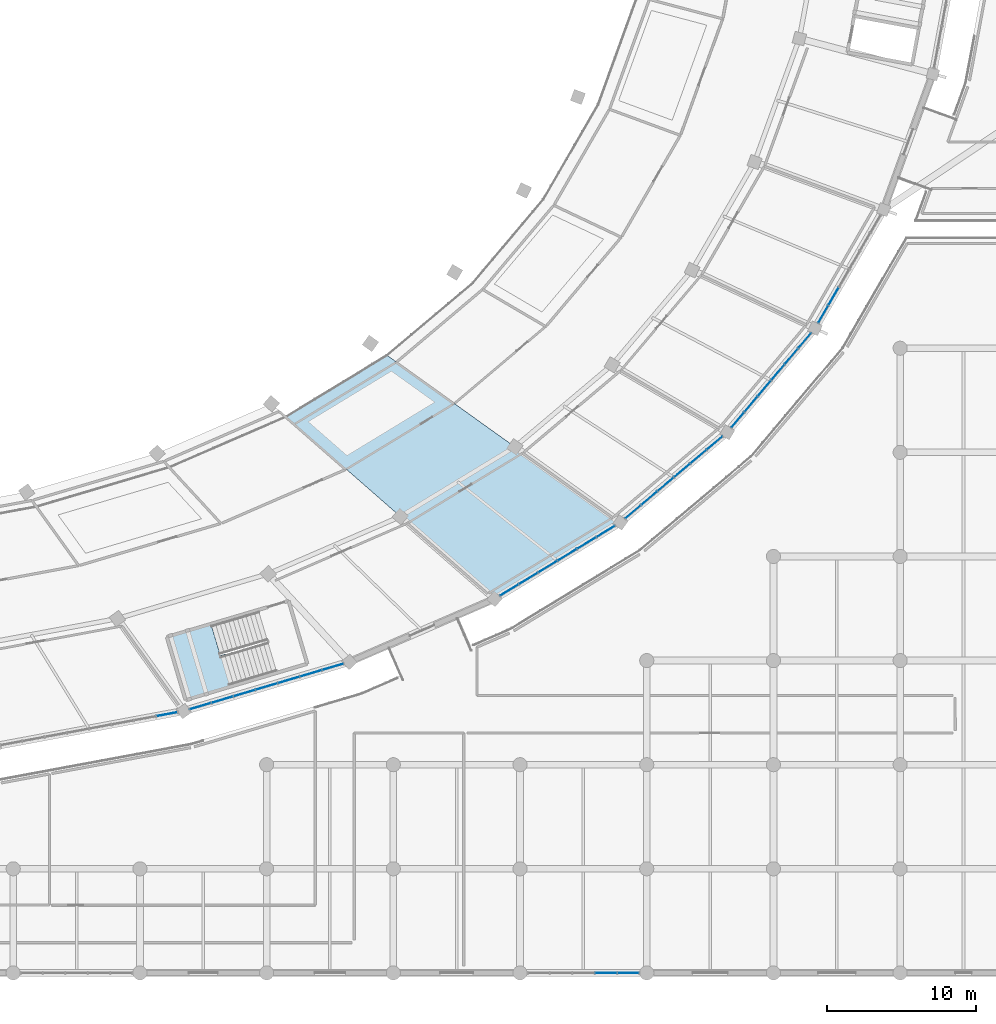
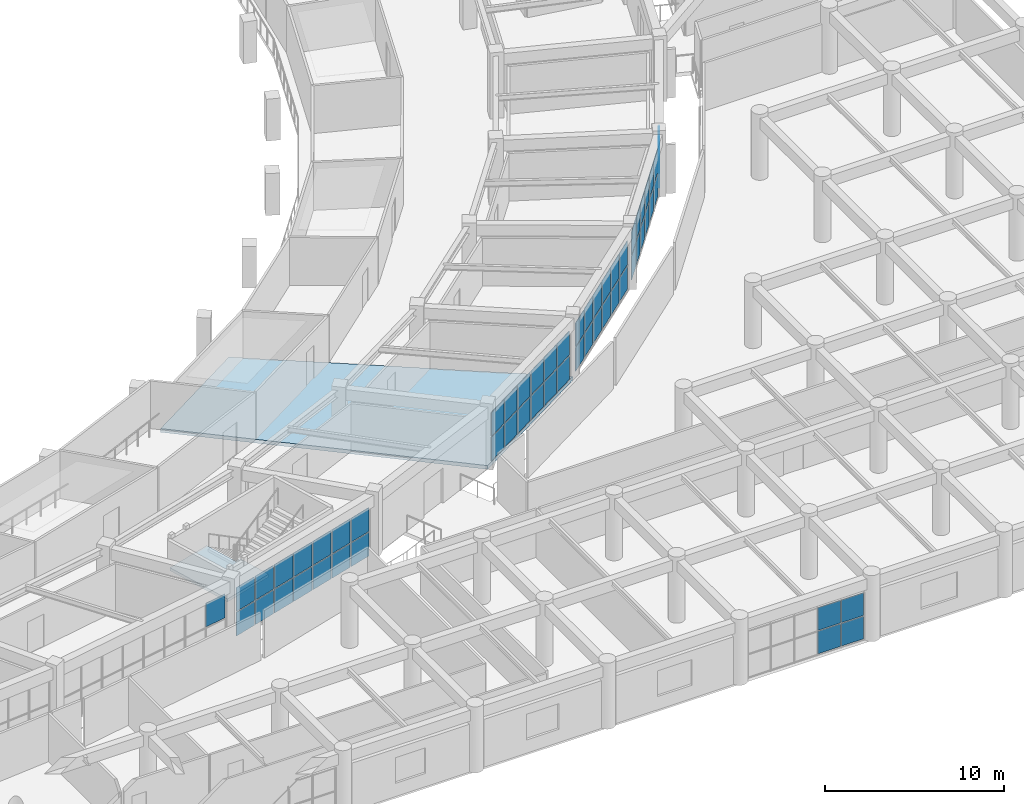
# One storey, part 79 of 141: 58 plates, 2 slabs, 8 elements without a shape of their own.
"""IFC4 building model written with IfcOpenShell, lengths in metres."""

from ifc_helpers import new_model, si_unit, direction, frame, origin, origin_2d, place, context, subcontext, project, spatial, polyline, rectangle, outline, extrude, material, layer, layer_set, type_object, element, aggregate, save


model = new_model("IFC4")

# Units and contexts
model_context = context("Model", 3, precision=1e-05, world=origin(), true_north=direction((0.0, 1.0)))
body_context = subcontext(model_context, "Body", "Model", "MODEL_VIEW")
ifc_project = project(units=[si_unit("LENGTHUNIT", "METRE"), si_unit("AREAUNIT", "SQUARE_METRE"), si_unit("VOLUMEUNIT", "CUBIC_METRE"), si_unit("PLANEANGLEUNIT", "RADIAN"), si_unit("MASSUNIT", "GRAM", prefix="KILO")], contexts=[model_context])

# Site, building, storey
site_placement = place(None, origin())
site = spatial("IfcSite", under=ifc_project, at=site_placement, CompositionType="ELEMENT")
building_placement = place(site_placement, origin())
building = spatial("IfcBuilding", under=site, at=building_placement, Name="Mphavela Belvedere Stadium", CompositionType="ELEMENT")
storey_placement = place(building_placement, frame((0.0, 0.0, 14.699951171875)))
storey = spatial("IfcBuildingStorey", under=building, at=storey_placement, Name="L03", CompositionType="ELEMENT", Elevation=14.699951171875)

# Curtain wall, plate
ifc_material_1 = material(Name="Anodised bronze unitised curtain wall framing")
ifc_layer_1 = layer(ifc_material_1, 0.18994140625)
ifc_layer_set_1 = layer_set([ifc_layer_1], Name="Anodised bronze unitised curtain wall framing")
curtain_wall_type_1 = type_object("IfcCurtainWallType", Name="CW-UNIT-03", PredefinedType="USERDEFINED", material=ifc_layer_set_1)
curtain_wall_1_placement = place(storey_placement, origin())
curtain_wall_1 = element("IfcCurtainWall", 1, at=curtain_wall_1_placement, inside=storey, type_object=curtain_wall_type_1, Name="Belvedere colonnade curtain wall L03-39", ObjectType="UNITISED CURTAIN WALL", PredefinedType="USERDEFINED")
ifc_material_2 = material(Name="Solar-control double glazing", Category="glass")
ifc_layer_2 = layer(ifc_material_2, 0.031982421875)
ifc_layer_set_2 = layer_set([ifc_layer_2], Name="Solar-control double glazing")
plate_type = type_object("IfcPlateType", Name="CWP-SOLAR-GLASS", PredefinedType="CURTAIN_PANEL", material=ifc_layer_set_2)
plate_1_placement = place(storey_placement, frame((163.6689453125, 17.39208984375, 1.739990234375), z_axis=(0.0, 0.0, 1.0), x_axis=(0.983096546836, 0.18308790129, 0.0)))
plate_1 = element("IfcPlate", 2, at=plate_1_placement, type_object=plate_type, Name="CW-03 panel 8.2", PredefinedType="CURTAIN_PANEL", context=body_context, shape_type="SweptSolid", body=[
    extrude(rectangle(XDim=1.427734375, YDim=0.031982421875, at=origin_2d()), origin(), (0.0, 0.0, 1.0), 1.6201171875),
])
aggregate(curtain_wall_1, [plate_1])

# Curtain wall, plates
ifc_material_3 = material(Name="Anodised bronze unitised curtain wall framing")
ifc_layer_3 = layer(ifc_material_3, 0.195068359375)
ifc_layer_set_3 = layer_set([ifc_layer_3], Name="Anodised bronze unitised curtain wall framing")
curtain_wall_type_2 = type_object("IfcCurtainWallType", Name="CW-UNIT-04", PredefinedType="USERDEFINED", material=ifc_layer_set_3)
curtain_wall_2_placement = place(storey_placement, origin())
curtain_wall_2 = element("IfcCurtainWall", 3, at=curtain_wall_2_placement, inside=storey, type_object=curtain_wall_type_2, Name="Belvedere colonnade curtain wall L03-40", ObjectType="UNITISED CURTAIN WALL", PredefinedType="USERDEFINED")
plate_2_placement = place(storey_placement, frame((165.918701171875, 17.934814453125, 0.06005859375), z_axis=(0.0, 0.0, 1.0), x_axis=(0.958656747975, 0.284565000591, 0.0)))
plate_2 = element("IfcPlate", 4, at=plate_2_placement, type_object=plate_type, Name="CW-04 panel 1.1", PredefinedType="CURTAIN_PANEL", context=body_context, shape_type="SweptSolid", body=[
    extrude(rectangle(XDim=1.45556640625, YDim=0.031982421875, at=origin_2d()), origin(), (0.0, 0.0, 1.0), 1.6201171875),
])
plate_3_placement = place(storey_placement, frame((165.918701171875, 17.934814453125, 1.739990234375), z_axis=(0.0, 0.0, 1.0), x_axis=(0.958656747975, 0.284565000591, 0.0)))
plate_3 = element("IfcPlate", 5, at=plate_3_placement, type_object=plate_type, Name="CW-04 panel 1.2", PredefinedType="CURTAIN_PANEL", context=body_context, shape_type="SweptSolid", body=[
    extrude(rectangle(XDim=1.45556640625, YDim=0.031982421875, at=origin_2d()), origin(), (0.0, 0.0, 1.0), 1.6201171875),
])
plate_4_placement = place(storey_placement, frame((167.391845703125, 18.3720703125, 0.06005859375), z_axis=(0.0, 0.0, 1.0), x_axis=(0.958656747975, 0.284565000591, 0.0)))
plate_4 = element("IfcPlate", 6, at=plate_4_placement, type_object=plate_type, Name="CW-04 panel 2.1", PredefinedType="CURTAIN_PANEL", context=body_context, shape_type="SweptSolid", body=[
    extrude(rectangle(XDim=1.488037109375, YDim=0.031982421875, at=origin_2d()), origin(), (0.0, 0.0, 1.0), 1.6201171875),
])
plate_5_placement = place(storey_placement, frame((167.391845703125, 18.3720703125, 1.739990234375), z_axis=(0.0, 0.0, 1.0), x_axis=(0.958656747975, 0.284565000591, 0.0)))
plate_5 = element("IfcPlate", 7, at=plate_5_placement, type_object=plate_type, Name="CW-04 panel 2.2", PredefinedType="CURTAIN_PANEL", context=body_context, shape_type="SweptSolid", body=[
    extrude(rectangle(XDim=1.488037109375, YDim=0.031982421875, at=origin_2d()), origin(), (0.0, 0.0, 1.0), 1.6201171875),
])
plate_6_placement = place(storey_placement, frame((168.880615234375, 18.81396484375, 0.06005859375), z_axis=(0.0, 0.0, 1.0), x_axis=(0.958656747975, 0.284565000591, 0.0)))
plate_6 = element("IfcPlate", 8, at=plate_6_placement, type_object=plate_type, Name="CW-04 panel 3.1", PredefinedType="CURTAIN_PANEL", context=body_context, shape_type="SweptSolid", body=[
    extrude(rectangle(XDim=1.488037109375, YDim=0.031982421875, at=origin_2d()), origin(), (0.0, 0.0, 1.0), 1.6201171875),
])
plate_7_placement = place(storey_placement, frame((168.880615234375, 18.81396484375, 1.739990234375), z_axis=(0.0, 0.0, 1.0), x_axis=(0.958656747975, 0.284565000591, 0.0)))
plate_7 = element("IfcPlate", 9, at=plate_7_placement, type_object=plate_type, Name="CW-04 panel 3.2", PredefinedType="CURTAIN_PANEL", context=body_context, shape_type="SweptSolid", body=[
    extrude(rectangle(XDim=1.488037109375, YDim=0.031982421875, at=origin_2d()), origin(), (0.0, 0.0, 1.0), 1.6201171875),
])
plate_8_placement = place(storey_placement, frame((170.369384765625, 19.255859375, 0.06005859375), z_axis=(0.0, 0.0, 1.0), x_axis=(0.958656747975, 0.284565000591, 0.0)))
plate_8 = element("IfcPlate", 10, at=plate_8_placement, type_object=plate_type, Name="CW-04 panel 4.1", PredefinedType="CURTAIN_PANEL", context=body_context, shape_type="SweptSolid", body=[
    extrude(rectangle(XDim=1.488037109375, YDim=0.031982421875, at=origin_2d()), origin(), (0.0, 0.0, 1.0), 1.6201171875),
])
plate_9_placement = place(storey_placement, frame((170.369384765625, 19.255859375, 1.739990234375), z_axis=(0.0, 0.0, 1.0), x_axis=(0.958656747975, 0.284565000591, 0.0)))
plate_9 = element("IfcPlate", 11, at=plate_9_placement, type_object=plate_type, Name="CW-04 panel 4.2", PredefinedType="CURTAIN_PANEL", context=body_context, shape_type="SweptSolid", body=[
    extrude(rectangle(XDim=1.488037109375, YDim=0.031982421875, at=origin_2d()), origin(), (0.0, 0.0, 1.0), 1.6201171875),
])
plate_10_placement = place(storey_placement, frame((171.858154296875, 19.69775390625, 0.06005859375), z_axis=(0.0, 0.0, 1.0), x_axis=(0.958656747975, 0.284565000591, 0.0)))
plate_10 = element("IfcPlate", 12, at=plate_10_placement, type_object=plate_type, Name="CW-04 panel 5.1", PredefinedType="CURTAIN_PANEL", context=body_context, shape_type="SweptSolid", body=[
    extrude(rectangle(XDim=1.488037109375, YDim=0.031982421875, at=origin_2d()), origin(), (0.0, 0.0, 1.0), 1.6201171875),
])
plate_11_placement = place(storey_placement, frame((171.858154296875, 19.69775390625, 1.739990234375), z_axis=(0.0, 0.0, 1.0), x_axis=(0.958656747975, 0.284565000591, 0.0)))
plate_11 = element("IfcPlate", 13, at=plate_11_placement, type_object=plate_type, Name="CW-04 panel 5.2", PredefinedType="CURTAIN_PANEL", context=body_context, shape_type="SweptSolid", body=[
    extrude(rectangle(XDim=1.488037109375, YDim=0.031982421875, at=origin_2d()), origin(), (0.0, 0.0, 1.0), 1.6201171875),
])
plate_12_placement = place(storey_placement, frame((173.346923828125, 20.1396484375, 0.06005859375), z_axis=(0.0, 0.0, 1.0), x_axis=(0.958656747975, 0.284565000591, 0.0)))
plate_12 = element("IfcPlate", 14, at=plate_12_placement, type_object=plate_type, Name="CW-04 panel 6.1", PredefinedType="CURTAIN_PANEL", context=body_context, shape_type="SweptSolid", body=[
    extrude(rectangle(XDim=1.488037109375, YDim=0.031982421875, at=origin_2d()), origin(), (0.0, 0.0, 1.0), 1.6201171875),
])
plate_13_placement = place(storey_placement, frame((173.346923828125, 20.1396484375, 1.739990234375), z_axis=(0.0, 0.0, 1.0), x_axis=(0.958656747975, 0.284565000591, 0.0)))
plate_13 = element("IfcPlate", 15, at=plate_13_placement, type_object=plate_type, Name="CW-04 panel 6.2", PredefinedType="CURTAIN_PANEL", context=body_context, shape_type="SweptSolid", body=[
    extrude(rectangle(XDim=1.488037109375, YDim=0.031982421875, at=origin_2d()), origin(), (0.0, 0.0, 1.0), 1.6201171875),
])
plate_14_placement = place(storey_placement, frame((174.820068359375, 20.576904296875, 0.06005859375), z_axis=(0.0, 0.0, 1.0), x_axis=(0.958656747975, 0.284565000591, 0.0)))
plate_14 = element("IfcPlate", 16, at=plate_14_placement, type_object=plate_type, Name="CW-04 panel 7.1", PredefinedType="CURTAIN_PANEL", context=body_context, shape_type="SweptSolid", body=[
    extrude(rectangle(XDim=1.45556640625, YDim=0.031982421875, at=origin_2d()), origin(), (0.0, 0.0, 1.0), 1.6201171875),
])
plate_15_placement = place(storey_placement, frame((174.820068359375, 20.576904296875, 1.739990234375), z_axis=(0.0, 0.0, 1.0), x_axis=(0.958656747975, 0.284565000591, 0.0)))
plate_15 = element("IfcPlate", 17, at=plate_15_placement, type_object=plate_type, Name="CW-04 panel 7.2", PredefinedType="CURTAIN_PANEL", context=body_context, shape_type="SweptSolid", body=[
    extrude(rectangle(XDim=1.45556640625, YDim=0.031982421875, at=origin_2d()), origin(), (0.0, 0.0, 1.0), 1.6201171875),
])
aggregate(curtain_wall_2, [plate_2, plate_3, plate_4, plate_5, plate_6, plate_7, plate_8, plate_9, plate_10, plate_11, plate_12, plate_13, plate_14, plate_15])

ifc_material_4 = material(Name="Anodised bronze unitised curtain wall framing")
ifc_layer_4 = layer(ifc_material_4, 0.199951171875)
ifc_layer_set_4 = layer_set([ifc_layer_4], Name="Anodised bronze unitised curtain wall framing")
curtain_wall_type_3 = type_object("IfcCurtainWallType", Name="CW-UNIT-05", PredefinedType="USERDEFINED", material=ifc_layer_set_4)
curtain_wall_3_placement = place(storey_placement, origin())
curtain_wall_3 = element("IfcCurtainWall", 18, at=curtain_wall_3_placement, inside=storey, type_object=curtain_wall_type_3, Name="Belvedere colonnade curtain wall L03-42", ObjectType="UNITISED CURTAIN WALL", PredefinedType="USERDEFINED")
plate_16_placement = place(storey_placement, frame((186.6806640625, 25.738037109375, 0.06005859375), z_axis=(0.0, 0.0, 1.0), x_axis=(0.8543254975, 0.519738342169, 0.0)))
plate_16 = element("IfcPlate", 19, at=plate_16_placement, type_object=plate_type, Name="CW-05 panel 1.1", PredefinedType="CURTAIN_PANEL", context=body_context, shape_type="SweptSolid", body=[
    extrude(rectangle(XDim=1.428466796875, YDim=0.031982421875, at=origin_2d()), origin(), (0.0, 0.0, 1.0), 1.6201171875),
])
plate_17_placement = place(storey_placement, frame((186.6806640625, 25.738037109375, 1.739990234375), z_axis=(0.0, 0.0, 1.0), x_axis=(0.8543254975, 0.519738342169, 0.0)))
plate_17 = element("IfcPlate", 20, at=plate_17_placement, type_object=plate_type, Name="CW-05 panel 1.2", PredefinedType="CURTAIN_PANEL", context=body_context, shape_type="SweptSolid", body=[
    extrude(rectangle(XDim=1.428466796875, YDim=0.031982421875, at=origin_2d()), origin(), (0.0, 0.0, 1.0), 1.6201171875),
])
plate_18_placement = place(storey_placement, frame((187.970458984375, 26.522705078125, 0.06005859375), z_axis=(0.0, 0.0, 1.0), x_axis=(0.8543254975, 0.519738342169, 0.0)))
plate_18 = element("IfcPlate", 21, at=plate_18_placement, type_object=plate_type, Name="CW-05 panel 2.1", PredefinedType="CURTAIN_PANEL", context=body_context, shape_type="SweptSolid", body=[
    extrude(rectangle(XDim=1.4609375, YDim=0.031982421875, at=origin_2d()), origin(), (0.0, 0.0, 1.0), 1.6201171875),
])
plate_19_placement = place(storey_placement, frame((187.970458984375, 26.522705078125, 1.739990234375), z_axis=(0.0, 0.0, 1.0), x_axis=(0.8543254975, 0.519738342169, 0.0)))
plate_19 = element("IfcPlate", 22, at=plate_19_placement, type_object=plate_type, Name="CW-05 panel 2.2", PredefinedType="CURTAIN_PANEL", context=body_context, shape_type="SweptSolid", body=[
    extrude(rectangle(XDim=1.4609375, YDim=0.031982421875, at=origin_2d()), origin(), (0.0, 0.0, 1.0), 1.6201171875),
])
plate_20_placement = place(storey_placement, frame((189.274169921875, 27.315673828125, 0.06005859375), z_axis=(0.0, 0.0, 1.0), x_axis=(0.8543254975, 0.519738342169, 0.0)))
plate_20 = element("IfcPlate", 23, at=plate_20_placement, type_object=plate_type, Name="CW-05 panel 3.1", PredefinedType="CURTAIN_PANEL", context=body_context, shape_type="SweptSolid", body=[
    extrude(rectangle(XDim=1.4609375, YDim=0.031982421875, at=origin_2d()), origin(), (0.0, 0.0, 1.0), 1.6201171875),
])
plate_21_placement = place(storey_placement, frame((189.274169921875, 27.315673828125, 1.739990234375), z_axis=(0.0, 0.0, 1.0), x_axis=(0.8543254975, 0.519738342169, 0.0)))
plate_21 = element("IfcPlate", 24, at=plate_21_placement, type_object=plate_type, Name="CW-05 panel 3.2", PredefinedType="CURTAIN_PANEL", context=body_context, shape_type="SweptSolid", body=[
    extrude(rectangle(XDim=1.4609375, YDim=0.031982421875, at=origin_2d()), origin(), (0.0, 0.0, 1.0), 1.6201171875),
])
plate_22_placement = place(storey_placement, frame((190.57763671875, 28.10888671875, 0.06005859375), z_axis=(0.0, 0.0, 1.0), x_axis=(0.8543254975, 0.519738342169, 0.0)))
plate_22 = element("IfcPlate", 25, at=plate_22_placement, type_object=plate_type, Name="CW-05 panel 4.1", PredefinedType="CURTAIN_PANEL", context=body_context, shape_type="SweptSolid", body=[
    extrude(rectangle(XDim=1.4609375, YDim=0.031982421875, at=origin_2d()), origin(), (0.0, 0.0, 1.0), 1.6201171875),
])
plate_23_placement = place(storey_placement, frame((190.57763671875, 28.10888671875, 1.739990234375), z_axis=(0.0, 0.0, 1.0), x_axis=(0.8543254975, 0.519738342169, 0.0)))
plate_23 = element("IfcPlate", 26, at=plate_23_placement, type_object=plate_type, Name="CW-05 panel 4.2", PredefinedType="CURTAIN_PANEL", context=body_context, shape_type="SweptSolid", body=[
    extrude(rectangle(XDim=1.4609375, YDim=0.031982421875, at=origin_2d()), origin(), (0.0, 0.0, 1.0), 1.6201171875),
])
plate_24_placement = place(storey_placement, frame((191.88134765625, 28.90185546875, 0.06005859375), z_axis=(0.0, 0.0, 1.0), x_axis=(0.8543254975, 0.519738342169, 0.0)))
plate_24 = element("IfcPlate", 27, at=plate_24_placement, type_object=plate_type, Name="CW-05 panel 5.1", PredefinedType="CURTAIN_PANEL", context=body_context, shape_type="SweptSolid", body=[
    extrude(rectangle(XDim=1.4609375, YDim=0.031982421875, at=origin_2d()), origin(), (0.0, 0.0, 1.0), 1.6201171875),
])
plate_25_placement = place(storey_placement, frame((191.88134765625, 28.90185546875, 1.739990234375), z_axis=(0.0, 0.0, 1.0), x_axis=(0.8543254975, 0.519738342169, 0.0)))
plate_25 = element("IfcPlate", 28, at=plate_25_placement, type_object=plate_type, Name="CW-05 panel 5.2", PredefinedType="CURTAIN_PANEL", context=body_context, shape_type="SweptSolid", body=[
    extrude(rectangle(XDim=1.4609375, YDim=0.031982421875, at=origin_2d()), origin(), (0.0, 0.0, 1.0), 1.6201171875),
])
plate_26_placement = place(storey_placement, frame((193.171142578125, 29.6865234375, 0.06005859375), z_axis=(0.0, 0.0, 1.0), x_axis=(0.8543254975, 0.519738342169, 0.0)))
plate_26 = element("IfcPlate", 29, at=plate_26_placement, type_object=plate_type, Name="CW-05 panel 6.1", PredefinedType="CURTAIN_PANEL", context=body_context, shape_type="SweptSolid", body=[
    extrude(rectangle(XDim=1.428466796875, YDim=0.031982421875, at=origin_2d()), origin(), (0.0, 0.0, 1.0), 1.6201171875),
])
plate_27_placement = place(storey_placement, frame((193.171142578125, 29.6865234375, 1.739990234375), z_axis=(0.0, 0.0, 1.0), x_axis=(0.8543254975, 0.519738342169, 0.0)))
plate_27 = element("IfcPlate", 30, at=plate_27_placement, type_object=plate_type, Name="CW-05 panel 6.2", PredefinedType="CURTAIN_PANEL", context=body_context, shape_type="SweptSolid", body=[
    extrude(rectangle(XDim=1.428466796875, YDim=0.031982421875, at=origin_2d()), origin(), (0.0, 0.0, 1.0), 1.6201171875),
])
aggregate(curtain_wall_3, [plate_16, plate_17, plate_18, plate_19, plate_20, plate_21, plate_22, plate_23, plate_24, plate_25, plate_26, plate_27])

ifc_material_5 = material(Name="Anodised bronze unitised curtain wall framing")
ifc_layer_5 = layer(ifc_material_5, 0.205078125)
ifc_layer_set_5 = layer_set([ifc_layer_5], Name="Anodised bronze unitised curtain wall framing")
curtain_wall_type_4 = type_object("IfcCurtainWallType", Name="CW-UNIT-06", PredefinedType="USERDEFINED", material=ifc_layer_set_5)
curtain_wall_4_placement = place(storey_placement, origin())
curtain_wall_4 = element("IfcCurtainWall", 31, at=curtain_wall_4_placement, inside=storey, type_object=curtain_wall_type_4, Name="Belvedere colonnade curtain wall L03-43", ObjectType="UNITISED CURTAIN WALL", PredefinedType="USERDEFINED")
plate_28_placement = place(storey_placement, frame((195.004150390625, 31.00146484375, 0.06005859375), z_axis=(0.0, 0.0, 1.0), x_axis=(0.764262822183, 0.644904906656, 0.0)))
plate_28 = element("IfcPlate", 32, at=plate_28_placement, type_object=plate_type, Name="CW-06 panel 1.1", PredefinedType="CURTAIN_PANEL", context=body_context, shape_type="SweptSolid", body=[
    extrude(rectangle(XDim=1.344482421875, YDim=0.031982421875, at=origin_2d()), origin(), (0.0, 0.0, 1.0), 1.6201171875),
])
plate_29_placement = place(storey_placement, frame((195.004150390625, 31.00146484375, 1.739990234375), z_axis=(0.0, 0.0, 1.0), x_axis=(0.764262822183, 0.644904906656, 0.0)))
plate_29 = element("IfcPlate", 33, at=plate_29_placement, type_object=plate_type, Name="CW-06 panel 1.2", PredefinedType="CURTAIN_PANEL", context=body_context, shape_type="SweptSolid", body=[
    extrude(rectangle(XDim=1.344482421875, YDim=0.031982421875, at=origin_2d()), origin(), (0.0, 0.0, 1.0), 1.6201171875),
])
plate_30_placement = place(storey_placement, frame((196.09375, 31.921142578125, 0.06005859375), z_axis=(0.0, 0.0, 1.0), x_axis=(0.764262822183, 0.644904906656, 0.0)))
plate_30 = element("IfcPlate", 34, at=plate_30_placement, type_object=plate_type, Name="CW-06 panel 2.1", PredefinedType="CURTAIN_PANEL", context=body_context, shape_type="SweptSolid", body=[
    extrude(rectangle(XDim=1.376953125, YDim=0.031982421875, at=origin_2d()), origin(), (0.0, 0.0, 1.0), 1.6201171875),
])
plate_31_placement = place(storey_placement, frame((196.09375, 31.921142578125, 1.739990234375), z_axis=(0.0, 0.0, 1.0), x_axis=(0.764262822183, 0.644904906656, 0.0)))
plate_31 = element("IfcPlate", 35, at=plate_31_placement, type_object=plate_type, Name="CW-06 panel 2.2", PredefinedType="CURTAIN_PANEL", context=body_context, shape_type="SweptSolid", body=[
    extrude(rectangle(XDim=1.376953125, YDim=0.031982421875, at=origin_2d()), origin(), (0.0, 0.0, 1.0), 1.6201171875),
])
plate_32_placement = place(storey_placement, frame((197.19580078125, 32.85107421875, 0.06005859375), z_axis=(0.0, 0.0, 1.0), x_axis=(0.764262822183, 0.644904906656, 0.0)))
plate_32 = element("IfcPlate", 36, at=plate_32_placement, type_object=plate_type, Name="CW-06 panel 3.1", PredefinedType="CURTAIN_PANEL", context=body_context, shape_type="SweptSolid", body=[
    extrude(rectangle(XDim=1.376953125, YDim=0.031982421875, at=origin_2d()), origin(), (0.0, 0.0, 1.0), 1.6201171875),
])
plate_33_placement = place(storey_placement, frame((197.19580078125, 32.85107421875, 1.739990234375), z_axis=(0.0, 0.0, 1.0), x_axis=(0.764262822183, 0.644904906656, 0.0)))
plate_33 = element("IfcPlate", 37, at=plate_33_placement, type_object=plate_type, Name="CW-06 panel 3.2", PredefinedType="CURTAIN_PANEL", context=body_context, shape_type="SweptSolid", body=[
    extrude(rectangle(XDim=1.376953125, YDim=0.031982421875, at=origin_2d()), origin(), (0.0, 0.0, 1.0), 1.6201171875),
])
plate_34_placement = place(storey_placement, frame((198.298095703125, 33.781005859375, 0.06005859375), z_axis=(0.0, 0.0, 1.0), x_axis=(0.764262822183, 0.644904906656, 0.0)))
plate_34 = element("IfcPlate", 38, at=plate_34_placement, type_object=plate_type, Name="CW-06 panel 4.1", PredefinedType="CURTAIN_PANEL", context=body_context, shape_type="SweptSolid", body=[
    extrude(rectangle(XDim=1.376953125, YDim=0.031982421875, at=origin_2d()), origin(), (0.0, 0.0, 1.0), 1.6201171875),
])
plate_35_placement = place(storey_placement, frame((198.298095703125, 33.781005859375, 1.739990234375), z_axis=(0.0, 0.0, 1.0), x_axis=(0.764262822183, 0.644904906656, 0.0)))
plate_35 = element("IfcPlate", 39, at=plate_35_placement, type_object=plate_type, Name="CW-06 panel 4.2", PredefinedType="CURTAIN_PANEL", context=body_context, shape_type="SweptSolid", body=[
    extrude(rectangle(XDim=1.376953125, YDim=0.031982421875, at=origin_2d()), origin(), (0.0, 0.0, 1.0), 1.6201171875),
])
plate_36_placement = place(storey_placement, frame((199.400146484375, 34.7109375, 0.06005859375), z_axis=(0.0, 0.0, 1.0), x_axis=(0.764262822183, 0.644904906656, 0.0)))
plate_36 = element("IfcPlate", 40, at=plate_36_placement, type_object=plate_type, Name="CW-06 panel 5.1", PredefinedType="CURTAIN_PANEL", context=body_context, shape_type="SweptSolid", body=[
    extrude(rectangle(XDim=1.376953125, YDim=0.031982421875, at=origin_2d()), origin(), (0.0, 0.0, 1.0), 1.6201171875),
])
plate_37_placement = place(storey_placement, frame((199.400146484375, 34.7109375, 1.739990234375), z_axis=(0.0, 0.0, 1.0), x_axis=(0.764262822183, 0.644904906656, 0.0)))
plate_37 = element("IfcPlate", 41, at=plate_37_placement, type_object=plate_type, Name="CW-06 panel 5.2", PredefinedType="CURTAIN_PANEL", context=body_context, shape_type="SweptSolid", body=[
    extrude(rectangle(XDim=1.376953125, YDim=0.031982421875, at=origin_2d()), origin(), (0.0, 0.0, 1.0), 1.6201171875),
])
plate_38_placement = place(storey_placement, frame((200.48974609375, 35.63037109375, 0.06005859375), z_axis=(0.0, 0.0, 1.0), x_axis=(0.764262822183, 0.644904906656, 0.0)))
plate_38 = element("IfcPlate", 42, at=plate_38_placement, type_object=plate_type, Name="CW-06 panel 6.1", PredefinedType="CURTAIN_PANEL", context=body_context, shape_type="SweptSolid", body=[
    extrude(rectangle(XDim=1.344482421875, YDim=0.031982421875, at=origin_2d()), origin(), (0.0, 0.0, 1.0), 1.6201171875),
])
plate_39_placement = place(storey_placement, frame((200.48974609375, 35.63037109375, 1.739990234375), z_axis=(0.0, 0.0, 1.0), x_axis=(0.764262822183, 0.644904906656, 0.0)))
plate_39 = element("IfcPlate", 43, at=plate_39_placement, type_object=plate_type, Name="CW-06 panel 6.2", PredefinedType="CURTAIN_PANEL", context=body_context, shape_type="SweptSolid", body=[
    extrude(rectangle(XDim=1.344482421875, YDim=0.031982421875, at=origin_2d()), origin(), (0.0, 0.0, 1.0), 1.6201171875),
])
aggregate(curtain_wall_4, [plate_28, plate_29, plate_30, plate_31, plate_32, plate_33, plate_34, plate_35, plate_36, plate_37, plate_38, plate_39])

ifc_material_6 = material(Name="Anodised bronze unitised curtain wall framing")
ifc_layer_6 = layer(ifc_material_6, 0.179931640625)
ifc_layer_set_6 = layer_set([ifc_layer_6], Name="Anodised bronze unitised curtain wall framing")
curtain_wall_type_5 = type_object("IfcCurtainWallType", Name="CW-UNIT-01", PredefinedType="USERDEFINED", material=ifc_layer_set_6)
curtain_wall_5_placement = place(storey_placement, origin())
curtain_wall_5 = element("IfcCurtainWall", 44, at=curtain_wall_5_placement, inside=storey, type_object=curtain_wall_type_5, Name="Belvedere colonnade curtain wall L03-44", ObjectType="UNITISED CURTAIN WALL", PredefinedType="USERDEFINED")
plate_40_placement = place(storey_placement, frame((202.041259765625, 37.17919921875, 0.06005859375), z_axis=(0.0, 0.0, 1.0), x_axis=(0.645179274532, 0.76403121907, 0.0)))
plate_40 = element("IfcPlate", 45, at=plate_40_placement, type_object=plate_type, Name="CW-01 panel 1.1", PredefinedType="CURTAIN_PANEL", context=body_context, shape_type="SweptSolid", body=[
    extrude(rectangle(XDim=1.303466796875, YDim=0.031982421875, at=origin_2d()), origin(), (0.0, 0.0, 1.0), 1.6201171875),
])
plate_41_placement = place(storey_placement, frame((202.041259765625, 37.17919921875, 1.739990234375), z_axis=(0.0, 0.0, 1.0), x_axis=(0.645179274532, 0.76403121907, 0.0)))
plate_41 = element("IfcPlate", 46, at=plate_41_placement, type_object=plate_type, Name="CW-01 panel 1.2", PredefinedType="CURTAIN_PANEL", context=body_context, shape_type="SweptSolid", body=[
    extrude(rectangle(XDim=1.303466796875, YDim=0.031982421875, at=origin_2d()), origin(), (0.0, 0.0, 1.0), 1.6201171875),
])
plate_42_placement = place(storey_placement, frame((202.9345703125, 38.237060546875, 0.06005859375), z_axis=(0.0, 0.0, 1.0), x_axis=(0.645179274532, 0.76403121907, 0.0)))
plate_42 = element("IfcPlate", 47, at=plate_42_placement, type_object=plate_type, Name="CW-01 panel 2.1", PredefinedType="CURTAIN_PANEL", context=body_context, shape_type="SweptSolid", body=[
    extrude(rectangle(XDim=1.3359375, YDim=0.031982421875, at=origin_2d()), origin(), (0.0, 0.0, 1.0), 1.6201171875),
])
plate_43_placement = place(storey_placement, frame((202.9345703125, 38.237060546875, 1.739990234375), z_axis=(0.0, 0.0, 1.0), x_axis=(0.645179274532, 0.76403121907, 0.0)))
plate_43 = element("IfcPlate", 48, at=plate_43_placement, type_object=plate_type, Name="CW-01 panel 2.2", PredefinedType="CURTAIN_PANEL", context=body_context, shape_type="SweptSolid", body=[
    extrude(rectangle(XDim=1.3359375, YDim=0.031982421875, at=origin_2d()), origin(), (0.0, 0.0, 1.0), 1.6201171875),
])
plate_44_placement = place(storey_placement, frame((203.83837890625, 39.307373046875, 0.06005859375), z_axis=(0.0, 0.0, 1.0), x_axis=(0.645179274532, 0.76403121907, 0.0)))
plate_44 = element("IfcPlate", 49, at=plate_44_placement, type_object=plate_type, Name="CW-01 panel 3.1", PredefinedType="CURTAIN_PANEL", context=body_context, shape_type="SweptSolid", body=[
    extrude(rectangle(XDim=1.3359375, YDim=0.031982421875, at=origin_2d()), origin(), (0.0, 0.0, 1.0), 1.6201171875),
])
plate_45_placement = place(storey_placement, frame((203.83837890625, 39.307373046875, 1.739990234375), z_axis=(0.0, 0.0, 1.0), x_axis=(0.645179274532, 0.76403121907, 0.0)))
plate_45 = element("IfcPlate", 50, at=plate_45_placement, type_object=plate_type, Name="CW-01 panel 3.2", PredefinedType="CURTAIN_PANEL", context=body_context, shape_type="SweptSolid", body=[
    extrude(rectangle(XDim=1.3359375, YDim=0.031982421875, at=origin_2d()), origin(), (0.0, 0.0, 1.0), 1.6201171875),
])
plate_46_placement = place(storey_placement, frame((204.742431640625, 40.377685546875, 0.06005859375), z_axis=(0.0, 0.0, 1.0), x_axis=(0.645179274532, 0.76403121907, 0.0)))
plate_46 = element("IfcPlate", 51, at=plate_46_placement, type_object=plate_type, Name="CW-01 panel 4.1", PredefinedType="CURTAIN_PANEL", context=body_context, shape_type="SweptSolid", body=[
    extrude(rectangle(XDim=1.3359375, YDim=0.031982421875, at=origin_2d()), origin(), (0.0, 0.0, 1.0), 1.6201171875),
])
plate_47_placement = place(storey_placement, frame((204.742431640625, 40.377685546875, 1.739990234375), z_axis=(0.0, 0.0, 1.0), x_axis=(0.645179274532, 0.76403121907, 0.0)))
plate_47 = element("IfcPlate", 52, at=plate_47_placement, type_object=plate_type, Name="CW-01 panel 4.2", PredefinedType="CURTAIN_PANEL", context=body_context, shape_type="SweptSolid", body=[
    extrude(rectangle(XDim=1.3359375, YDim=0.031982421875, at=origin_2d()), origin(), (0.0, 0.0, 1.0), 1.6201171875),
])
plate_48_placement = place(storey_placement, frame((205.646240234375, 41.447998046875, 0.06005859375), z_axis=(0.0, 0.0, 1.0), x_axis=(0.645179274532, 0.76403121907, 0.0)))
plate_48 = element("IfcPlate", 53, at=plate_48_placement, type_object=plate_type, Name="CW-01 panel 5.1", PredefinedType="CURTAIN_PANEL", context=body_context, shape_type="SweptSolid", body=[
    extrude(rectangle(XDim=1.3359375, YDim=0.031982421875, at=origin_2d()), origin(), (0.0, 0.0, 1.0), 1.6201171875),
])
plate_49_placement = place(storey_placement, frame((205.646240234375, 41.447998046875, 1.739990234375), z_axis=(0.0, 0.0, 1.0), x_axis=(0.645179274532, 0.76403121907, 0.0)))
plate_49 = element("IfcPlate", 54, at=plate_49_placement, type_object=plate_type, Name="CW-01 panel 5.2", PredefinedType="CURTAIN_PANEL", context=body_context, shape_type="SweptSolid", body=[
    extrude(rectangle(XDim=1.3359375, YDim=0.031982421875, at=origin_2d()), origin(), (0.0, 0.0, 1.0), 1.6201171875),
])
plate_50_placement = place(storey_placement, frame((206.53955078125, 42.505859375, 0.06005859375), z_axis=(0.0, 0.0, 1.0), x_axis=(0.645179274532, 0.76403121907, 0.0)))
plate_50 = element("IfcPlate", 55, at=plate_50_placement, type_object=plate_type, Name="CW-01 panel 6.1", PredefinedType="CURTAIN_PANEL", context=body_context, shape_type="SweptSolid", body=[
    extrude(rectangle(XDim=1.303466796875, YDim=0.031982421875, at=origin_2d()), origin(), (0.0, 0.0, 1.0), 1.6201171875),
])
plate_51_placement = place(storey_placement, frame((206.53955078125, 42.505859375, 1.739990234375), z_axis=(0.0, 0.0, 1.0), x_axis=(0.645179274532, 0.76403121907, 0.0)))
plate_51 = element("IfcPlate", 56, at=plate_51_placement, type_object=plate_type, Name="CW-01 panel 6.2", PredefinedType="CURTAIN_PANEL", context=body_context, shape_type="SweptSolid", body=[
    extrude(rectangle(XDim=1.303466796875, YDim=0.031982421875, at=origin_2d()), origin(), (0.0, 0.0, 1.0), 1.6201171875),
])
aggregate(curtain_wall_5, [plate_40, plate_41, plate_42, plate_43, plate_44, plate_45, plate_46, plate_47, plate_48, plate_49, plate_50, plate_51])

ifc_material_7 = material(Name="Anodised bronze unitised curtain wall framing")
ifc_layer_7 = layer(ifc_material_7, 0.18505859375)
ifc_layer_set_7 = layer_set([ifc_layer_7], Name="Anodised bronze unitised curtain wall framing")
curtain_wall_type_6 = type_object("IfcCurtainWallType", Name="CW-UNIT-02", PredefinedType="USERDEFINED", material=ifc_layer_set_7)
curtain_wall_6_placement = place(storey_placement, origin())
curtain_wall_6 = element("IfcCurtainWall", 57, at=curtain_wall_6_placement, inside=storey, type_object=curtain_wall_type_6, Name="Belvedere colonnade curtain wall L03-45", ObjectType="UNITISED CURTAIN WALL", PredefinedType="USERDEFINED")
plate_52_placement = place(storey_placement, frame((207.790771484375, 44.28662109375, 0.06005859375), z_axis=(0.0, 0.0, 1.0), x_axis=(0.50055409961, 0.865705257789, 0.0)))
plate_52 = element("IfcPlate", 58, at=plate_52_placement, type_object=plate_type, Name="CW-02 panel 1.1", PredefinedType="CURTAIN_PANEL", context=body_context, shape_type="SweptSolid", body=[
    extrude(rectangle(XDim=1.314453125, YDim=0.031982421875, at=origin_2d()), origin(), (0.0, 0.0, 1.0), 1.6201171875),
])
plate_53_placement = place(storey_placement, frame((207.790771484375, 44.28662109375, 1.739990234375), z_axis=(0.0, 0.0, 1.0), x_axis=(0.50055409961, 0.865705257789, 0.0)))
plate_53 = element("IfcPlate", 59, at=plate_53_placement, type_object=plate_type, Name="CW-02 panel 1.2", PredefinedType="CURTAIN_PANEL", context=body_context, shape_type="SweptSolid", body=[
    extrude(rectangle(XDim=1.314453125, YDim=0.031982421875, at=origin_2d()), origin(), (0.0, 0.0, 1.0), 1.6201171875),
])
plate_54_placement = place(storey_placement, frame((208.4892578125, 45.49462890625, 0.06005859375), z_axis=(0.0, 0.0, 1.0), x_axis=(0.50055409961, 0.865705257789, 0.0)))
plate_54 = element("IfcPlate", 60, at=plate_54_placement, type_object=plate_type, Name="CW-02 panel 2.1", PredefinedType="CURTAIN_PANEL", context=body_context, shape_type="SweptSolid", body=[
    extrude(rectangle(XDim=1.346923828125, YDim=0.031982421875, at=origin_2d()), origin(), (0.0, 0.0, 1.0), 1.6201171875),
])
aggregate(curtain_wall_6, [plate_52, plate_53, plate_54])

curtain_wall_7_placement = place(storey_placement, origin())
curtain_wall_7 = element("IfcCurtainWall", 61, at=curtain_wall_7_placement, inside=storey, type_object=curtain_wall_type_6, Name="South Axial Triumphal Peristyle Portico gallery curtain wall L03-23", ObjectType="UNITISED CURTAIN WALL", PredefinedType="USERDEFINED")
plate_55_placement = place(storey_placement, frame((194.679443359375, 0.0, 0.06005859375), z_axis=(0.0, 0.0, 1.0), x_axis=(-1.0, 0.0, 0.0)))
plate_55 = element("IfcPlate", 62, at=plate_55_placement, type_object=plate_type, Name="CW-02 panel 1.1", PredefinedType="CURTAIN_PANEL", context=body_context, shape_type="SweptSolid", body=[
    extrude(rectangle(XDim=1.4169921875, YDim=0.031982421875, at=origin_2d()), origin(), (0.0, 0.0, 1.0), 1.5400390625),
])
plate_56_placement = place(storey_placement, frame((194.679443359375, 0.0, 1.659912109375), z_axis=(0.0, 0.0, 1.0), x_axis=(-1.0, 0.0, 0.0)))
plate_56 = element("IfcPlate", 63, at=plate_56_placement, type_object=plate_type, Name="CW-02 panel 1.2", PredefinedType="CURTAIN_PANEL", context=body_context, shape_type="SweptSolid", body=[
    extrude(rectangle(XDim=1.4169921875, YDim=0.031982421875, at=origin_2d()), origin(), (0.0, 0.0, 1.0), 1.5400390625),
])
plate_57_placement = place(storey_placement, frame((193.18115234375, 0.0, 0.06005859375), z_axis=(0.0, 0.0, 1.0), x_axis=(-1.0, 0.0, 0.0)))
plate_57 = element("IfcPlate", 64, at=plate_57_placement, type_object=plate_type, Name="CW-02 panel 2.1", PredefinedType="CURTAIN_PANEL", context=body_context, shape_type="SweptSolid", body=[
    extrude(rectangle(XDim=1.44970703125, YDim=0.031982421875, at=origin_2d()), origin(), (0.0, 0.0, 1.0), 1.5400390625),
])
plate_58_placement = place(storey_placement, frame((193.18115234375, 0.0, 1.659912109375), z_axis=(0.0, 0.0, 1.0), x_axis=(-1.0, 0.0, 0.0)))
plate_58 = element("IfcPlate", 65, at=plate_58_placement, type_object=plate_type, Name="CW-02 panel 2.2", PredefinedType="CURTAIN_PANEL", context=body_context, shape_type="SweptSolid", body=[
    extrude(rectangle(XDim=1.44970703125, YDim=0.031982421875, at=origin_2d()), origin(), (0.0, 0.0, 1.0), 1.5400390625),
])
aggregate(curtain_wall_7, [plate_55, plate_56, plate_57, plate_58])

# Slab
ifc_material_8 = material(Name="Concrete C40/50", Category="concrete")
ifc_layer_8 = layer(ifc_material_8, 0.25)
ifc_layer_set_8 = layer_set([ifc_layer_8], Name="Concrete C40/50")
slab_type_1 = type_object("IfcSlabType", Name="SLB-CONCOURSE-250", PredefinedType="FLOOR", material=ifc_layer_set_8)
slab_1_placement = place(storey_placement, frame((0.0, 0.0, -0.25)))
element("IfcSlab", 66, at=slab_1_placement, inside=storey, type_object=slab_type_1, Name="Concourse sector slab L03-S7:2", PredefinedType="FLOOR", context=body_context, shape_type="SweptSolid", body=[
    extrude(outline(polyline([(194.155517578125, 30.285400390625), (185.6962890625, 25.13916015625), (171.6904296875, 37.39453125), (178.473876953125, 41.521484375), (194.155517578125, 30.285400390625)])), origin(), (0.0, 0.0, 1.0), 0.25),
])

# Stair, slab
ifc_material_9 = material(Name="Precast concrete C45/55", Category="concrete")
stair_type = type_object("IfcStairType", Name="STR-TWO-RET-2", PredefinedType="TWO_STRAIGHT_RUN_STAIR", material=ifc_material_9)
stair_placement = place(storey_placement, origin())
stair = element("IfcStair", 67, at=stair_placement, inside=storey, type_object=stair_type, Name="L03 Escape stair core P04", PredefinedType="TWO_STRAIGHT_RUN_STAIR")
ifc_material_10 = material(Name="Concrete C40/50", Category="concrete")
ifc_layer_9 = layer(ifc_material_10, 0.199951171875)
ifc_layer_set_9 = layer_set([ifc_layer_9], Name="Concrete C40/50")
slab_type_2 = type_object("IfcSlabType", Name="SLB-LANDING-200", PredefinedType="LANDING", material=ifc_layer_set_9)
slab_2_placement = place(storey_placement, frame((0.0, 0.0, 2.050048828125)))
slab_2 = element("IfcSlab", 68, at=slab_2_placement, type_object=slab_type_2, Name="ST-P04 landing 1", PredefinedType="LANDING", context=body_context, shape_type="SweptSolid", body=[
    extrude(outline(polyline([(166.62548828125, 23.47265625), (163.765625, 22.623779296875), (165.026123046875, 18.376953125), (168.226318359375, 19.32666015625), (167.595947265625, 21.4501953125), (167.255615234375, 21.34912109375), (166.62548828125, 23.47265625)])), origin(), (0.0, 0.0, 1.0), 0.199951171875),
])
aggregate(stair, [slab_2])

save(model, "model.ifc")
